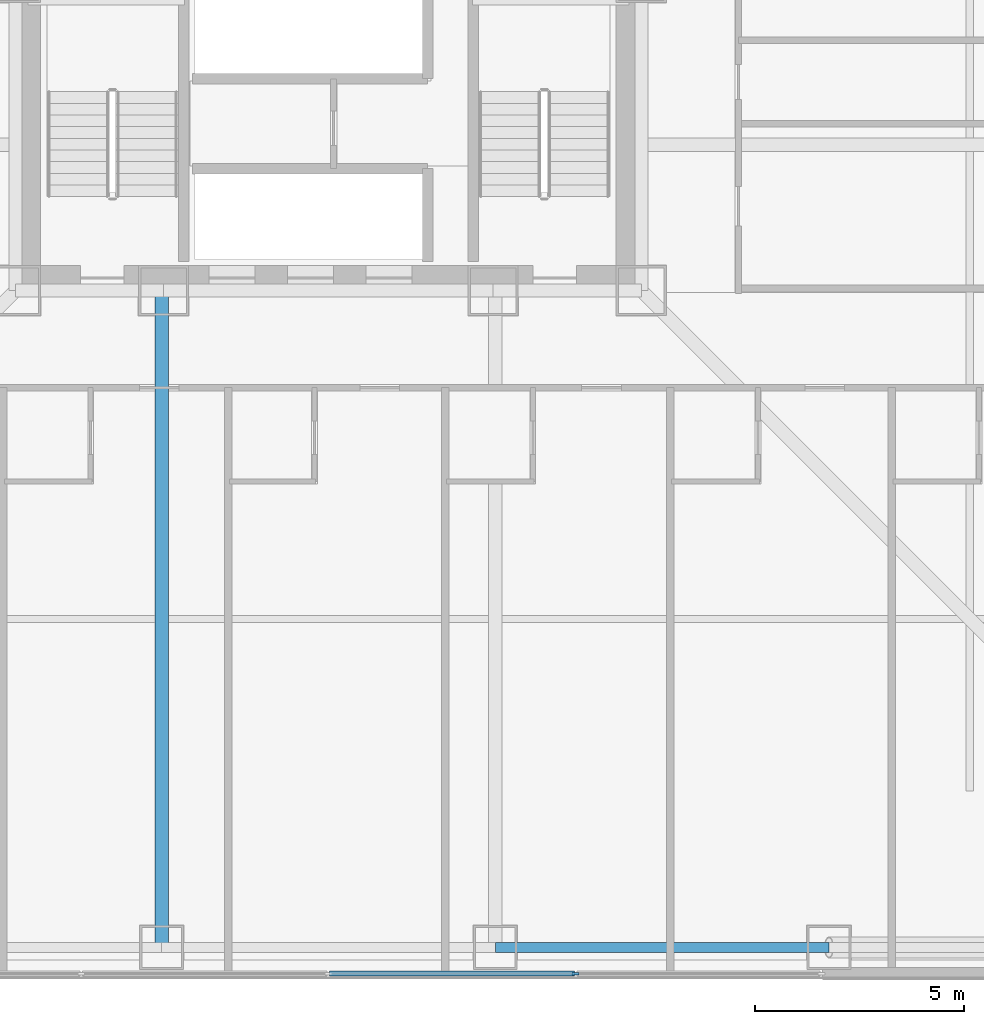
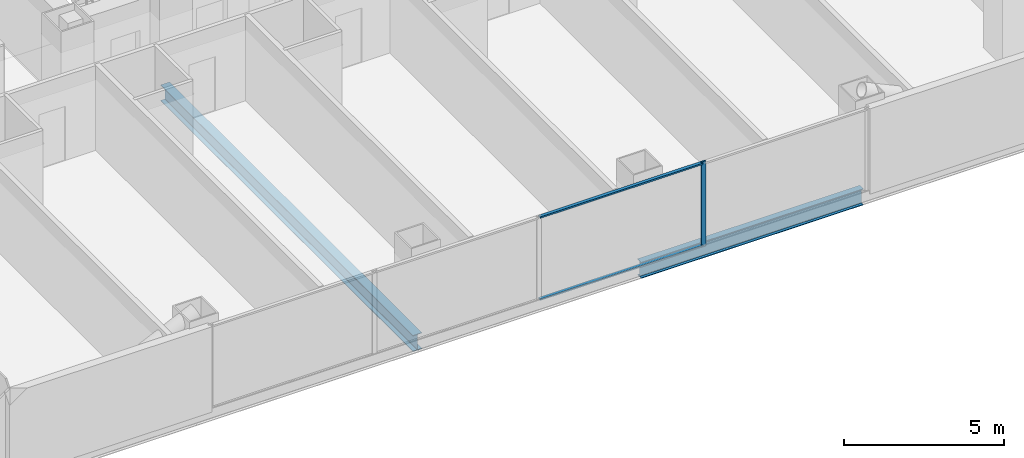
# One storey, part 3 of 23: 3 members, 2 beams, 1 element without a shape of its own.
"""IFC4 building model written with IfcOpenShell, lengths in metres."""

from ifc_helpers import new_model, si_unit, direction, frame, origin, origin_2d, place, context, subcontext, project, spatial, rectangle, i_section, extrude, material, layer, layer_set, material_profile, profile_set, type_object, element, aggregate, save


model = new_model("IFC4")

# Units and contexts
model_context = context("Model", 3, precision=1e-05, world=origin(), true_north=direction((0.0, 1.0)))
body_context = subcontext(model_context, "Body", "Model", "MODEL_VIEW")
ifc_project = project(units=[si_unit("LENGTHUNIT", "METRE"), si_unit("AREAUNIT", "SQUARE_METRE"), si_unit("VOLUMEUNIT", "CUBIC_METRE"), si_unit("PLANEANGLEUNIT", "RADIAN"), si_unit("MASSUNIT", "GRAM", prefix="KILO")], contexts=[model_context])

# Site, building, storey
site_placement = place(None, origin())
site = spatial("IfcSite", under=ifc_project, at=site_placement, CompositionType="ELEMENT")
building_placement = place(site_placement, origin())
building = spatial("IfcBuilding", under=site, at=building_placement, Name="Trevonay Congress Spire", CompositionType="ELEMENT")
storey_placement = place(building_placement, frame((0.0, 0.0, 34.0)))
storey = spatial("IfcBuildingStorey", under=building, at=storey_placement, Name="L07", CompositionType="ELEMENT", Elevation=34.0)

# Beams
ifc_material_1 = material(Name="Steel ASTM A572 Grade 50", Category="steel")
ifc_material_profile_1 = material_profile(ifc_material_1, i_section(OverallWidth=0.324951171875, OverallDepth=0.615966796875, WebThickness=0.013916015625, FlangeThickness=0.021484375, FilletRadius=0.01806640625, at=origin_2d()), Name="W610x174")
ifc_profile_set_1 = profile_set([ifc_material_profile_1], Name="Steel ASTM A572 Grade 50")
beam_type_1 = type_object("IfcBeamType", Name="BM-GIRD-W610X174", PredefinedType="BEAM", material=ifc_profile_set_1)
beam_1_placement = place(storey_placement, frame((-4.0, -7.5, -0.55810546875), z_axis=(0.0, -1.0, 0.0), x_axis=(1.0, 0.0, 0.0)))
element("IfcBeam", 1, at=beam_1_placement, inside=storey, type_object=beam_type_1, Name="L07 structural beam BM-L07-GS-M", PredefinedType="BEAM", context=body_context, shape_type="SweptSolid", body=[
    extrude(i_section(OverallWidth=0.324951171875, OverallDepth=0.615966796875, WebThickness=0.013916015625, FlangeThickness=0.021484375, FilletRadius=0.01806640625, at=origin_2d()), origin(), (0.0, 0.0, 1.0), 15.75),
])
ifc_material_profile_2 = material_profile(ifc_material_1, i_section(OverallWidth=0.22998046875, OverallDepth=0.616943359375, WebThickness=0.01318359375, FlangeThickness=0.022216796875, FilletRadius=0.01611328125, at=origin_2d()), Name="W610x140")
ifc_profile_set_2 = profile_set([ifc_material_profile_2], Name="Steel ASTM A572 Grade 50")
beam_type_2 = type_object("IfcBeamType", Name="BM-RING-W610X140", PredefinedType="BEAM", material=ifc_profile_set_2)
beam_2_placement = place(storey_placement, frame((4.0, -23.25, -0.55859375), z_axis=(1.0, 0.0, 0.0), x_axis=(0.0, 1.0, 0.0)))
element("IfcBeam", 2, at=beam_2_placement, inside=storey, type_object=beam_type_2, Name="L07 structural beam BM-L07-PS4", PredefinedType="BEAM", context=body_context, shape_type="SweptSolid", body=[
    extrude(i_section(OverallWidth=0.22998046875, OverallDepth=0.616943359375, WebThickness=0.01318359375, FlangeThickness=0.022216796875, FilletRadius=0.01611328125, at=origin_2d()), origin(), (0.0, 0.0, 1.0), 8.0),
])

# Curtain wall, members
ifc_material_2 = material(Name="Pale Anodised Aluminium EN AW-6063-T6", Category="aluminium")
ifc_layer = layer(ifc_material_2, 0.179931640625, Name="Pale Anodised Aluminium EN AW-6063-T6")
ifc_layer_set = layer_set([ifc_layer], Name="Pale Anodised Aluminium EN AW-6063-T6")
curtain_wall_type = type_object("IfcCurtainWallType", Name="CW-SYS02-HOTEL-PALE-METAL", PredefinedType="NOTDEFINED", material=ifc_layer_set)
curtain_wall_placement = place(storey_placement, origin())
curtain_wall = element("IfcCurtainWall", 3, at=curtain_wall_placement, inside=storey, type_object=curtain_wall_type, Name="L07 S unitised curtain wall", PredefinedType="NOTDEFINED")
ifc_material_profile_3 = material_profile(ifc_material_2, rectangle(XDim=0.06005859375, YDim=0.159912109375, at=origin_2d()), Name="CW-MULLION-160-ALUMINIUM")
ifc_profile_set_3 = profile_set([ifc_material_profile_3], Name="Pale Anodised Aluminium EN AW-6063-T6")
member_type_1 = type_object("IfcMemberType", Name="CW-MULLION-160-ALUMINIUM", PredefinedType="MULLION", material=ifc_profile_set_3)
member_1_placement = place(storey_placement, frame((5.925048828125, -23.8798828125, 0.0), z_axis=(0.0, 0.0, 1.0), x_axis=(0.0, 1.0, 0.0)))
member_1 = element("IfcMember", 4, at=member_1_placement, type_object=member_type_1, Name="CW02 mullion 4", PredefinedType="MULLION", context=body_context, shape_type="SweptSolid", body=[
    extrude(rectangle(XDim=0.06005859375, YDim=0.159912109375, at=origin_2d()), origin(), (0.0, 0.0, 1.0), 3.25),
])
ifc_material_profile_4 = material_profile(ifc_material_2, rectangle(XDim=0.1201171875, YDim=0.06005859375, at=origin_2d()), Name="CW-TRANSOM-120-ALUMINIUM")
ifc_profile_set_4 = profile_set([ifc_material_profile_4], Name="Pale Anodised Aluminium EN AW-6063-T6")
member_type_2 = type_object("IfcMemberType", Name="CW-TRANSOM-120-ALUMINIUM", PredefinedType="USERDEFINED", material=ifc_profile_set_4)
member_2_placement = place(storey_placement, frame((0.030029296875, -23.8798828125, 0.06005859375), z_axis=(1.0, 0.0, 0.0), x_axis=(0.0, 1.0, 0.0)))
member_2 = element("IfcMember", 5, at=member_2_placement, type_object=member_type_2, Name="CW02 transom 3.1", ObjectType="TRANSOM", PredefinedType="USERDEFINED", context=body_context, shape_type="SweptSolid", body=[
    extrude(rectangle(XDim=0.1201171875, YDim=0.06005859375, at=origin_2d()), origin(), (0.0, 0.0, 1.0), 5.864990234375),
])
member_3_placement = place(storey_placement, frame((0.030029296875, -23.8798828125, 3.18994140625), z_axis=(1.0, 0.0, 0.0), x_axis=(0.0, 1.0, 0.0)))
member_3 = element("IfcMember", 6, at=member_3_placement, type_object=member_type_2, Name="CW02 transom 3.2", ObjectType="TRANSOM", PredefinedType="USERDEFINED", context=body_context, shape_type="SweptSolid", body=[
    extrude(rectangle(XDim=0.1201171875, YDim=0.06005859375, at=origin_2d()), origin(), (0.0, 0.0, 1.0), 5.864990234375),
])
aggregate(curtain_wall, [member_1, member_2, member_3])

save(model, "model.ifc")
